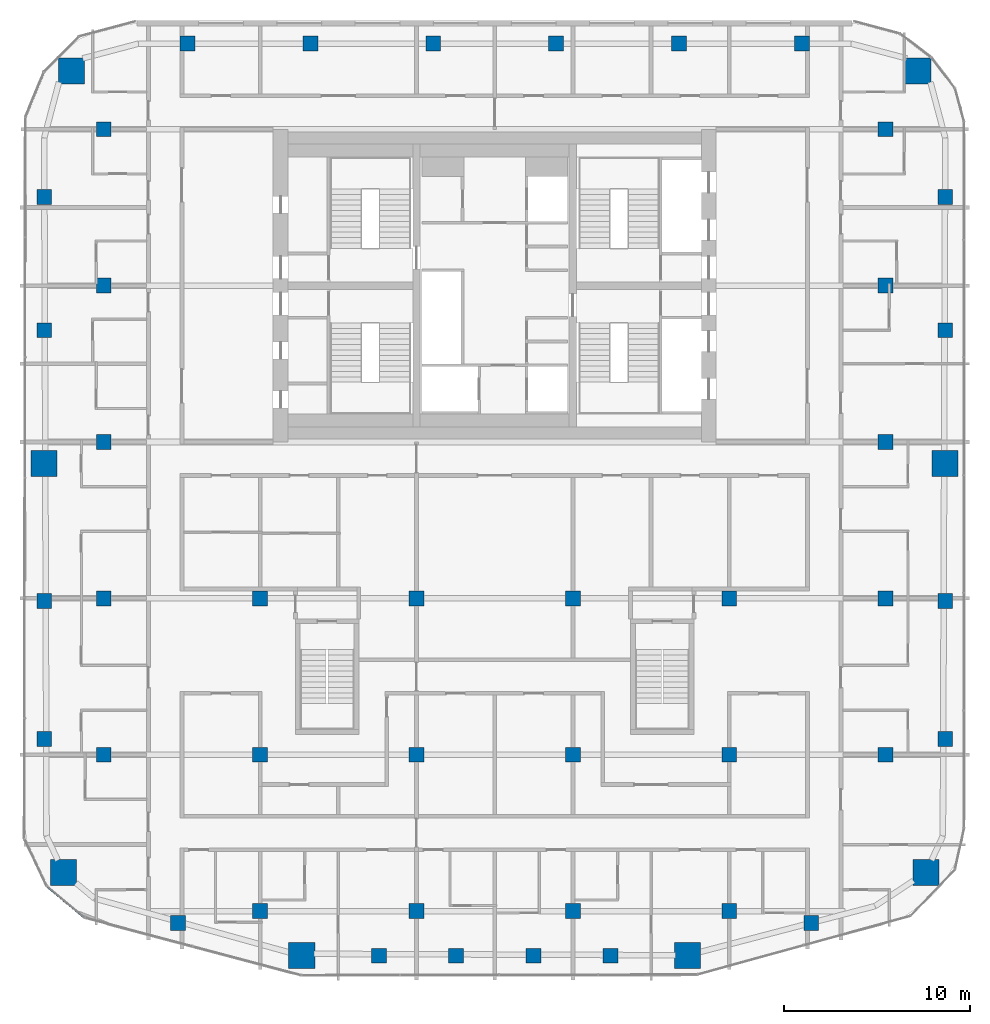
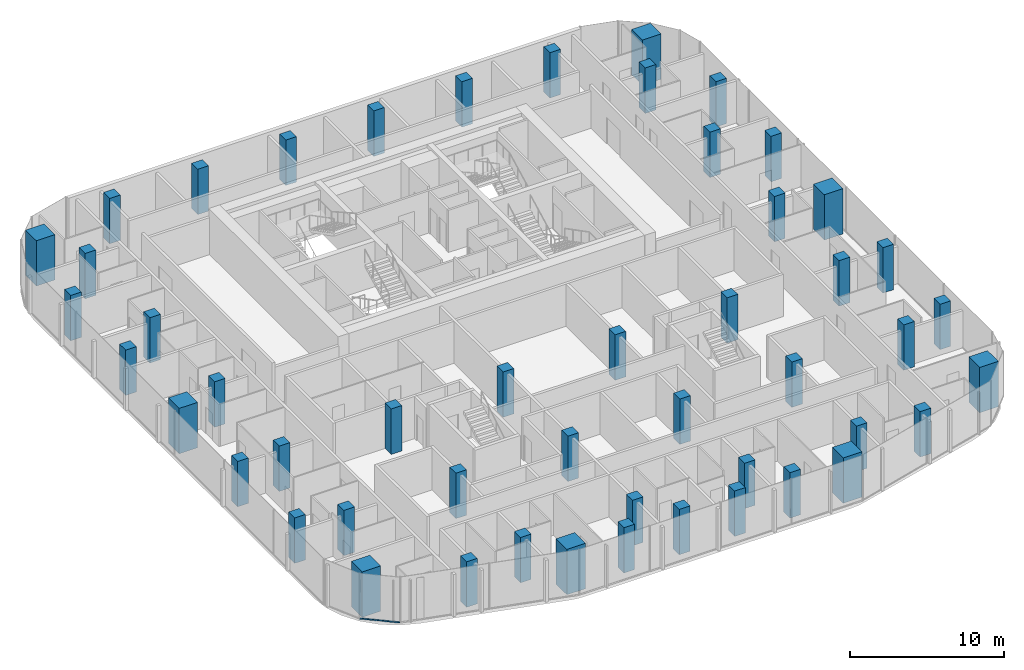
# One storey, part 1 of 22: 50 columns, 1 member, 1 element without a shape of its own.
"""IFC4 building model written with IfcOpenShell, lengths in metres."""

import ifcopenshell
import ifcopenshell.guid

model = None  # the IFC model being written
_history = None  # IfcOwnerHistory: only IFC2X3 demands one
_inside = {}  # id of a spatial element -> (the spatial element, [elements in it])
_under = {}  # id of a project, library or spatial element -> (it, [spatial elements below it])
_declared = {}  # id of a project -> (the project, [libraries it declares])
_typed = {}  # id of a type object -> (the type object, [elements of that type])
_made_of = {}  # id of a material, layer set ... -> (it, [elements and type objects made of it])


def new_model(schema):
    """Start an empty IFC model of exactly this schema.

    Asked for "IFC4X3", IfcOpenShell would pick the latest addendum, in which some entities
    have other attributes; the version numbers below select the first issue.
    IFC2X3 requires an IfcOwnerHistory on every rooted entity: one is made here for all.
    """
    global model, _history
    if schema == "IFC4X3":
        model = ifcopenshell.file(schema_version=(4, 3, 0, 0))
    else:
        model = ifcopenshell.file(schema=schema)
    _inside.clear()
    _under.clear()
    _declared.clear()
    _typed.clear()
    _made_of.clear()
    _history = None
    if model.schema == "IFC2X3":
        org = make("IfcOrganization", Name="unknown")
        user = make(
            "IfcPersonAndOrganization",
            ThePerson=make("IfcPerson", FamilyName="unknown"),
            TheOrganization=org,
        )
        app = make(
            "IfcApplication",
            ApplicationDeveloper=org,
            Version="unknown",
            ApplicationFullName="unknown",
            ApplicationIdentifier="unknown",
        )
        _history = make(
            "IfcOwnerHistory",
            OwningUser=user,
            OwningApplication=app,
            ChangeAction="ADDED",
            CreationDate=0,
        )
    return model


def make(cls, **values):
    """One entity of the class cls with the attributes given. An attribute that is None is left unset."""
    return model.create_entity(
        cls, **{name: value for name, value in values.items() if value is not None}
    )


def rooted(cls, **values):
    """An entity with a GlobalId (a new one), such as an element, a storey or a relation."""
    return make(cls, GlobalId=ifcopenshell.guid.new(), OwnerHistory=_history, **values)


def si_unit(unit_type, name, prefix=None):
    """IfcSIUnit, for example si_unit("LENGTHUNIT", "METRE", prefix="MILLI")."""
    return make("IfcSIUnit", UnitType=unit_type, Prefix=prefix, Name=name)


def assignment(units):
    """IfcUnitAssignment: the units of a project."""
    return None if units is None else make("IfcUnitAssignment", Units=units)


def point(xyz):
    """IfcCartesianPoint."""
    return None if xyz is None else make("IfcCartesianPoint", Coordinates=xyz)


def direction(xyz):
    """IfcDirection."""
    return None if xyz is None else make("IfcDirection", DirectionRatios=xyz)


def frame(location, z_axis=None, x_axis=None):
    """IfcAxis2Placement3D, a coordinate frame: its origin and axes. An axis left out is left unset."""
    return make(
        "IfcAxis2Placement3D",
        Location=point(location),
        Axis=direction(z_axis),
        RefDirection=direction(x_axis),
    )


def frame_2d(location, x_axis=None):
    """IfcAxis2Placement2D, a coordinate frame in the plane: its origin and x axis."""
    return make(
        "IfcAxis2Placement2D", Location=point(location), RefDirection=direction(x_axis)
    )


def origin():
    """The frame at (0, 0, 0) with its axes left unset."""
    return frame((0.0, 0.0, 0.0))


def origin_2d():
    """The frame at (0, 0) in the plane with its x axis left unset."""
    return frame_2d((0.0, 0.0))


def place(relative_to, where):
    """IfcLocalPlacement: puts the frame where relative to a parent placement (None: the world)."""
    return make(
        "IfcLocalPlacement", PlacementRelTo=relative_to, RelativePlacement=where
    )


def context(
    kind, dimensions, precision=None, world=None, true_north=None, identifier=None
):
    """IfcGeometricRepresentationContext, for example the 3D "Model" context."""
    return make(
        "IfcGeometricRepresentationContext",
        ContextIdentifier=identifier,
        ContextType=kind,
        CoordinateSpaceDimension=dimensions,
        Precision=precision,
        WorldCoordinateSystem=world,
        TrueNorth=true_north,
    )


def subcontext(parent, identifier, kind, view, scale=None):
    """IfcGeometricRepresentationSubContext, for example "Body" below "Model"."""
    return make(
        "IfcGeometricRepresentationSubContext",
        ContextIdentifier=identifier,
        ContextType=kind,
        ParentContext=parent,
        TargetScale=scale,
        TargetView=view,
    )


def project(units=None, contexts=None):
    """IfcProject with its units and contexts."""
    return rooted(
        "IfcProject",
        Name="project",
        RepresentationContexts=contexts,
        UnitsInContext=assignment(units),
    )


def spatial(cls, under=None, at=None, **own):
    """A site, building, storey or space (cls), placed at a placement, below another one or the project."""
    s = rooted(cls, ObjectPlacement=at, **own)
    if under is not None:
        _under.setdefault(under.id(), (under, []))[1].append(s)
    return s


def profile(cls, at=None, kind="AREA", **sizes):
    """A parametric profile (cls). Its sizes go by their IFC names, for example OverallWidth=200.0."""
    return make(cls, ProfileType=kind, Position=at, **sizes)


def rectangle(**sizes):
    """IfcRectangleProfileDef."""
    return profile("IfcRectangleProfileDef", **sizes)


def extrude(swept, where, along, depth):
    """IfcExtrudedAreaSolid: the profile swept, set in the frame where, extruded along a direction by depth."""
    return make(
        "IfcExtrudedAreaSolid",
        SweptArea=swept,
        Position=where,
        ExtrudedDirection=direction(along),
        Depth=depth,
    )


def shape(context_of_items, identifier, shape_type, items):
    """IfcShapeRepresentation: the items that make up one representation, for example the "Body"."""
    return make(
        "IfcShapeRepresentation",
        ContextOfItems=context_of_items,
        RepresentationIdentifier=identifier,
        RepresentationType=shape_type,
        Items=items,
    )


def material(Name=None, Category=None):
    """IfcMaterial."""
    return make("IfcMaterial", Name=Name, Category=Category)


def layer(
    of_material, thickness, ventilated=None, Name=None, Category=None, Priority=None
):
    """IfcMaterialLayer: one layer of a wall or slab, of a material (None: an air gap)."""
    return make(
        "IfcMaterialLayer",
        Material=of_material,
        LayerThickness=thickness,
        IsVentilated=ventilated,
        Name=Name,
        Category=Category,
        Priority=Priority,
    )


def layer_set(layers, Name=None):
    """IfcMaterialLayerSet."""
    return make("IfcMaterialLayerSet", MaterialLayers=layers, LayerSetName=Name)


def material_profile(
    of_material, cross_section, Name=None, Category=None, Priority=None
):
    """IfcMaterialProfile: a cross section and its material."""
    return make(
        "IfcMaterialProfile",
        Name=Name,
        Material=of_material,
        Profile=cross_section,
        Priority=Priority,
        Category=Category,
    )


def profile_set(profiles, Name=None, composite=None):
    """IfcMaterialProfileSet."""
    return make(
        "IfcMaterialProfileSet",
        Name=Name,
        MaterialProfiles=profiles,
        CompositeProfile=composite,
    )


def made_of(thing, what):
    """Note that an element or type object is made of a material, layer set ...; save() writes the relation."""
    if what is not None:
        _made_of.setdefault(what.id(), (what, []))[1].append(thing)
    return thing


def type_object(cls, material=None, **own):
    """A type object (cls), such as IfcWallType, which elements share."""
    return made_of(rooted(cls, **own), material)


def element(
    cls,
    number,
    at=None,
    inside=None,
    cuts=None,
    type_object=None,
    material=None,
    context=None,
    identifier="Body",
    shape_type=None,
    held_by="IfcProductDefinitionShape",
    body=None,
    shapes=None,
    **own,
):
    """One element of the class cls, such as IfcWall. Its Tag is "e" and its number.

    at: its placement. inside: the storey or other place that contains it. cuts: it is an
    opening in that element (IfcRelVoidsElement). A single representation is given by context,
    identifier, shape_type and body (its items); several are given by shapes. held_by: the class
    of the entity that holds the representations. save() writes the other relations.
    """
    e = rooted(cls, Tag="e%d" % number, ObjectPlacement=at, **own)
    if body is not None:
        shapes = [shape(context, identifier, shape_type, body)]
    if shapes is not None:
        e.Representation = make(held_by, Representations=shapes)
    if inside is not None:
        _inside.setdefault(inside.id(), (inside, []))[1].append(e)
    if cuts is not None:
        rooted(
            "IfcRelVoidsElement", RelatingBuildingElement=cuts, RelatedOpeningElement=e
        )
    if type_object is not None:
        _typed.setdefault(type_object.id(), (type_object, []))[1].append(e)
    return made_of(e, material)


def aggregate(whole, parts):
    """IfcRelAggregates: a whole, such as a stair, and the parts it consists of."""
    return rooted("IfcRelAggregates", RelatingObject=whole, RelatedObjects=parts)


def save(model, path):
    """Write the relations noted so far, then the file.

    IfcRelAggregates (storeys below a building ...), IfcRelContainedInSpatialStructure (elements
    in a storey), IfcRelDefinesByType, IfcRelAssociatesMaterial and IfcRelDeclares: one each for
    every whole, place, type object, material and project.
    """
    for whole, parts in _under.values():
        aggregate(whole, parts)
    for where, things in _inside.values():
        rooted(
            "IfcRelContainedInSpatialStructure",
            RelatedElements=things,
            RelatingStructure=where,
        )
    for kind, things in _typed.values():
        rooted("IfcRelDefinesByType", RelatedObjects=things, RelatingType=kind)
    for what, things in _made_of.values():
        rooted("IfcRelAssociatesMaterial", RelatedObjects=things, RelatingMaterial=what)
    for by, libraries in _declared.values():
        rooted("IfcRelDeclares", RelatingContext=by, RelatedDefinitions=libraries)
    model.write(path)


model = new_model("IFC4")

# Units and contexts
model_context = context("Model", 3, precision=1e-05, world=origin(), true_north=direction((0.0, 1.0)))
body_context = subcontext(model_context, "Body", "Model", "MODEL_VIEW")
ifc_project = project(units=[si_unit("LENGTHUNIT", "METRE"), si_unit("AREAUNIT", "SQUARE_METRE"), si_unit("VOLUMEUNIT", "CUBIC_METRE"), si_unit("PLANEANGLEUNIT", "RADIAN"), si_unit("MASSUNIT", "GRAM", prefix="KILO")], contexts=[model_context])

# Site, building, storey
site_placement = place(None, origin())
site = spatial("IfcSite", under=ifc_project, at=site_placement, CompositionType="ELEMENT")
building_placement = place(site_placement, origin())
building = spatial("IfcBuilding", under=site, at=building_placement, Name="Marenta Gate Hotel Tower", CompositionType="ELEMENT")
storey_placement = place(building_placement, frame((0.0, 0.0, 238.10009765625)))
storey = spatial("IfcBuildingStorey", under=building, at=storey_placement, Name="L56", CompositionType="ELEMENT", Elevation=238.10009765625)

# Columns
ifc_material_1 = material(Name="Concrete C60", Category="concrete")
ifc_material_profile_1 = material_profile(ifc_material_1, rectangle(XDim=0.800048828125, YDim=0.800048828125, at=origin_2d()), Name="800 x 800")
ifc_profile_set_1 = profile_set([ifc_material_profile_1], Name="Concrete C60")
column_type_1 = type_object("IfcColumnType", Name="Edge column 800 x 800 C60", PredefinedType="COLUMN", material=ifc_profile_set_1)
for number, where, z_axis, x_axis, name in (
    (1, (-24.199951171875, -15.951904296875, 0.0), (0.0, 0.0, 1.0), (1.0, 0.0, 0.0), "L56-EC-SW-W-1"),
    (2, (-24.199951171875, -8.55078125, 0.0), (0.0, 0.0, 1.0), (1.0, 0.0, 0.0), "L56-EC-SW-W-2"),
    (3, (-24.199951171875, 6.003173828125, 0.0), (0.0, 0.0, 1.0), (1.0, 0.0, 0.0), "L56-EC-W-NW-1"),
    (4, (-24.199951171875, 13.156494140625, 0.0), (0.0, 0.0, 1.0), (1.0, 0.0, 0.0), "L56-EC-W-NW-2"),
    (5, (-16.5068359375, 21.39990234375, 0.0), (0.0, 0.0, 1.0), (1.0, 0.0, 0.0), "L56-EC-NW-NE-1"),
    (6, (-9.904052734375, 21.39990234375, 0.0), (0.0, 0.0, 1.0), (1.0, 0.0, 0.0), "L56-EC-NW-NE-2"),
    (7, (-3.301513671875, 21.39990234375, 0.0), (0.0, 0.0, 1.0), (1.0, 0.0, 0.0), "L56-EC-NW-NE-3"),
    (8, (3.301513671875, 21.39990234375, 0.0), (0.0, 0.0, 1.0), (1.0, 0.0, 0.0), "L56-EC-NW-NE-4"),
    (9, (9.904052734375, 21.39990234375, 0.0), (0.0, 0.0, 1.0), (1.0, 0.0, 0.0), "L56-EC-NW-NE-5"),
    (10, (16.5068359375, 21.39990234375, 0.0), (0.0, 0.0, 1.0), (1.0, 0.0, 0.0), "L56-EC-NW-NE-6"),
    (11, (24.199951171875, 13.156494140625, 0.0), (0.0, 0.0, 1.0), (1.0, 0.0, 0.0), "L56-EC-NE-E-1"),
    (12, (24.199951171875, 6.003173828125, 0.0), (0.0, 0.0, 1.0), (1.0, 0.0, 0.0), "L56-EC-NE-E-2"),
    (13, (24.199951171875, -8.55078125, 0.0), (0.0, 0.0, 1.0), (1.0, 0.0, 0.0), "L56-EC-E-SE-1"),
    (14, (24.199951171875, -15.951904296875, 0.0), (0.0, 0.0, 1.0), (1.0, 0.0, 0.0), "L56-EC-E-SE-2"),
    (15, (17.0068359375, -25.839111328125, 0.0), (0.0, 0.0, 1.0), (1.0, 0.0, 0.0), "L56-EC-SE-SKE-1"),
    (16, (6.22021484375, -27.60009765625, 0.0), (0.0, 0.0, 1.0), (1.0, 0.0, 0.0), "L56-EC-SKE-SKW-1"),
    (17, (2.073486328125, -27.60009765625, 0.0), (0.0, 0.0, 1.0), (1.0, 0.0, 0.0), "L56-EC-SKE-SKW-2"),
    (18, (-2.073486328125, -27.60009765625, 0.0), (0.0, 0.0, 1.0), (1.0, 0.0, 0.0), "L56-EC-SKE-SKW-3"),
    (19, (-6.22021484375, -27.60009765625, 0.0), (0.0, 0.0, 1.0), (1.0, 0.0, 0.0), "L56-EC-SKE-SKW-4"),
    (20, (-17.0068359375, -25.839111328125, 0.0), (0.0, 0.0, 1.0), (1.0, 0.0, 0.0), "L56-EC-SKW-SW-1"),
):
    element("IfcColumn", number, at=place(storey_placement, frame(where, z_axis=z_axis, x_axis=x_axis)), inside=storey, type_object=column_type_1, Name=name, PredefinedType="COLUMN", context=body_context, shape_type="SweptSolid", body=[
        extrude(rectangle(XDim=0.800048828125, YDim=0.800048828125, at=origin_2d()), origin(), (0.0, 0.0, 1.0), 3.599853515625),
    ])
ifc_material_2 = material(Name="Concrete C60", Category="concrete")
ifc_material_profile_2 = material_profile(ifc_material_2, rectangle(XDim=0.800048828125, YDim=0.800048828125, at=origin_2d()), Name="800 x 800")
ifc_profile_set_2 = profile_set([ifc_material_profile_2], Name="Concrete C60")
column_type_2 = type_object("IfcColumnType", Name="Interior column 800 x 800 C60", PredefinedType="COLUMN", material=ifc_profile_set_2)
for number, where, z_axis, x_axis, name in (
    (21, (-21.0, -16.800048828125, 0.0), (0.0, 0.0, 1.0), (1.0, 0.0, 0.0), "L56-IC-4D"),
    (22, (-21.0, -8.39990234375, 0.0), (0.0, 0.0, 1.0), (1.0, 0.0, 0.0), "L56-IC-4E"),
    (23, (-21.0, 0.0, 0.0), (0.0, 0.0, 1.0), (1.0, 0.0, 0.0), "L56-IC-4F"),
    (24, (-21.0, 8.39990234375, 0.0), (0.0, 0.0, 1.0), (1.0, 0.0, 0.0), "L56-IC-4G"),
    (25, (-21.0, 16.800048828125, 0.0), (0.0, 0.0, 1.0), (1.0, 0.0, 0.0), "L56-IC-4H"),
    (26, (-12.60009765625, -25.199951171875, 0.0), (0.0, 0.0, 1.0), (1.0, 0.0, 0.0), "L56-IC-5C"),
    (27, (-12.60009765625, -16.800048828125, 0.0), (0.0, 0.0, 1.0), (1.0, 0.0, 0.0), "L56-IC-5D"),
    (28, (-12.60009765625, -8.39990234375, 0.0), (0.0, 0.0, 1.0), (1.0, 0.0, 0.0), "L56-IC-5E"),
    (29, (-4.199951171875, -25.199951171875, 0.0), (0.0, 0.0, 1.0), (1.0, 0.0, 0.0), "L56-IC-6C"),
    (30, (-4.199951171875, -16.800048828125, 0.0), (0.0, 0.0, 1.0), (1.0, 0.0, 0.0), "L56-IC-6D"),
    (31, (-4.199951171875, -8.39990234375, 0.0), (0.0, 0.0, 1.0), (1.0, 0.0, 0.0), "L56-IC-6E"),
    (32, (4.199951171875, -25.199951171875, 0.0), (0.0, 0.0, 1.0), (1.0, 0.0, 0.0), "L56-IC-7C"),
    (33, (4.199951171875, -16.800048828125, 0.0), (0.0, 0.0, 1.0), (1.0, 0.0, 0.0), "L56-IC-7D"),
    (34, (4.199951171875, -8.39990234375, 0.0), (0.0, 0.0, 1.0), (1.0, 0.0, 0.0), "L56-IC-7E"),
    (35, (12.60009765625, -25.199951171875, 0.0), (0.0, 0.0, 1.0), (1.0, 0.0, 0.0), "L56-IC-8C"),
    (36, (12.60009765625, -16.800048828125, 0.0), (0.0, 0.0, 1.0), (1.0, 0.0, 0.0), "L56-IC-8D"),
    (37, (12.60009765625, -8.39990234375, 0.0), (0.0, 0.0, 1.0), (1.0, 0.0, 0.0), "L56-IC-8E"),
    (38, (21.0, -16.800048828125, 0.0), (0.0, 0.0, 1.0), (1.0, 0.0, 0.0), "L56-IC-9D"),
    (39, (21.0, -8.39990234375, 0.0), (0.0, 0.0, 1.0), (1.0, 0.0, 0.0), "L56-IC-9E"),
    (40, (21.0, 0.0, 0.0), (0.0, 0.0, 1.0), (1.0, 0.0, 0.0), "L56-IC-9F"),
    (41, (21.0, 8.39990234375, 0.0), (0.0, 0.0, 1.0), (1.0, 0.0, 0.0), "L56-IC-9G"),
    (42, (21.0, 16.800048828125, 0.0), (0.0, 0.0, 1.0), (1.0, 0.0, 0.0), "L56-IC-9H"),
):
    element("IfcColumn", number, at=place(storey_placement, frame(where, z_axis=z_axis, x_axis=x_axis)), inside=storey, type_object=column_type_2, Name=name, PredefinedType="COLUMN", context=body_context, shape_type="SweptSolid", body=[
        extrude(rectangle(XDim=0.800048828125, YDim=0.800048828125, at=origin_2d()), origin(), (0.0, 0.0, 1.0), 3.599853515625),
    ])
ifc_material_3 = material(Name="Concrete C60", Category="concrete")
ifc_material_profile_3 = material_profile(ifc_material_3, rectangle(XDim=1.39990234375, YDim=1.39990234375, at=origin_2d()), Name="1400 x 1400")
ifc_profile_set_3 = profile_set([ifc_material_profile_3], Name="Concrete C60")
column_type_3 = type_object("IfcColumnType", Name="Mega column 1400 x 1400 C60", PredefinedType="COLUMN", material=ifc_profile_set_3)
for number, where, z_axis, x_axis, name in (
    (43, (-23.1630859375, -23.133056640625, 0.0), (0.0, 0.0, 1.0), (1.0, 0.0, 0.0), "L56-MC-SW"),
    (44, (-10.3662109375, -27.57470703125, 0.0), (0.0, 0.0, 1.0), (1.0, 0.0, 0.0), "L56-MC-SKW"),
    (45, (10.3662109375, -27.57470703125, 0.0), (0.0, 0.0, 1.0), (1.0, 0.0, 0.0), "L56-MC-SKE"),
    (46, (23.1630859375, -23.133056640625, 0.0), (0.0, 0.0, 1.0), (1.0, 0.0, 0.0), "L56-MC-SE"),
    (47, (24.199951171875, -1.14990234375, 0.0), (0.0, 0.0, 1.0), (1.0, 0.0, 0.0), "L56-MC-E"),
    (48, (22.735595703125, 19.935546875, 0.0), (0.0, 0.0, 1.0), (1.0, 0.0, 0.0), "L56-MC-NE"),
    (49, (-22.735595703125, 19.935546875, 0.0), (0.0, 0.0, 1.0), (1.0, 0.0, 0.0), "L56-MC-NW"),
    (50, (-24.199951171875, -1.14990234375, 0.0), (0.0, 0.0, 1.0), (1.0, 0.0, 0.0), "L56-MC-W"),
):
    element("IfcColumn", number, at=place(storey_placement, frame(where, z_axis=z_axis, x_axis=x_axis)), inside=storey, type_object=column_type_3, Name=name, PredefinedType="COLUMN", context=body_context, shape_type="SweptSolid", body=[
        extrude(rectangle(XDim=1.39990234375, YDim=1.39990234375, at=origin_2d()), origin(), (0.0, 0.0, 1.0), 3.599853515625),
    ])

# Curtain wall, member
ifc_material_4 = material(Name="Tinted insulated glass in bronze anodised frame", Category="glass")
ifc_layer = layer(ifc_material_4, 0.1201171875)
ifc_layer_set = layer_set([ifc_layer], Name="Tinted insulated glass in bronze anodised frame")
curtain_wall_type = type_object("IfcCurtainWallType", Name="Tower unitised curtain wall CW1", PredefinedType="NOTDEFINED", material=ifc_layer_set)
curtain_wall_placement = place(storey_placement, origin())
curtain_wall = element("IfcCurtainWall", 51, at=curtain_wall_placement, inside=storey, type_object=curtain_wall_type, Name="CW1 run G05", PredefinedType="NOTDEFINED")
ifc_material_5 = material(Name="Bronze anodised aluminium", Category="aluminium")
ifc_material_profile_4 = material_profile(ifc_material_5, rectangle(XDim=0.1201171875, YDim=0.06005859375, at=origin_2d()), Name="Transom CW1 60x120 bronze anodised aluminium")
ifc_profile_set_4 = profile_set([ifc_material_profile_4], Name="Bronze anodised aluminium")
member_type = type_object("IfcMemberType", Name="Transom CW1 60x120 bronze anodised aluminium", PredefinedType="USERDEFINED", material=ifc_profile_set_4)
member_placement = place(storey_placement, frame((-24.036865234375, -23.879150390625, 0.02978515625), z_axis=(0.767100312603, -0.641527170433, 0.0), x_axis=(0.641527170433, 0.767100312603, 0.0)))
member = element("IfcMember", 52, at=member_placement, type_object=member_type, Name="CW1 transom 1.1", ObjectType="TRANSOM", PredefinedType="USERDEFINED", context=body_context, shape_type="SweptSolid", body=[
    extrude(rectangle(XDim=0.1201171875, YDim=0.06005859375, at=origin_2d()), origin(), (0.0, 0.0, 1.0), 2.609130859375),
])
aggregate(curtain_wall, [member])

save(model, "model.ifc")
